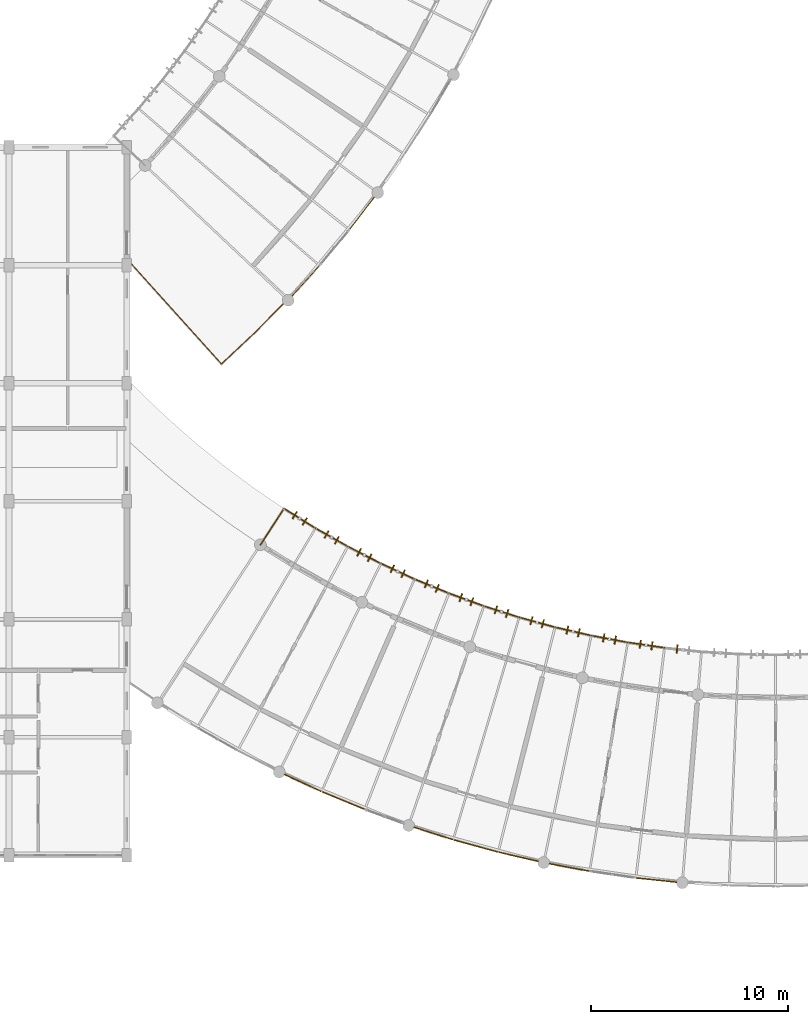
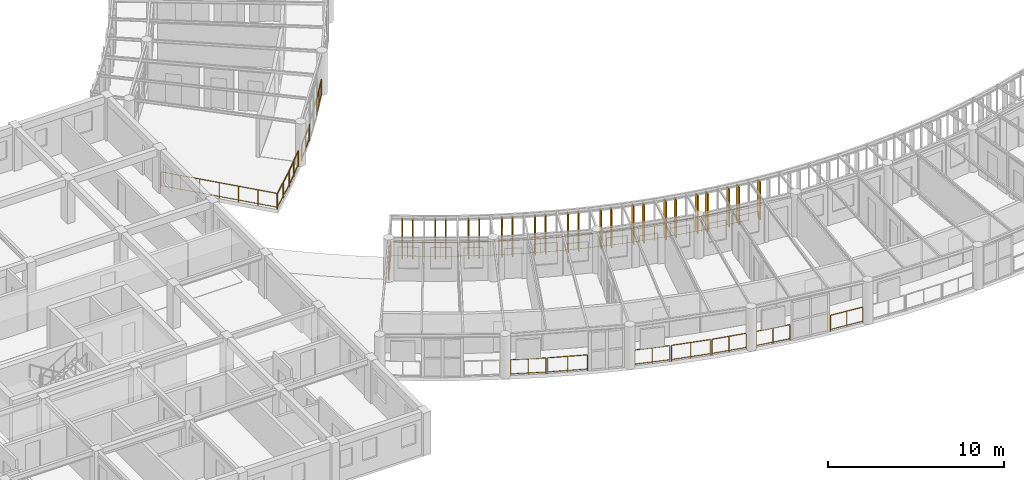
# One storey, part 90 of 101: 24 railings, 23 shading devices.
"""IFC4 building model written with IfcOpenShell, lengths in metres."""

from ifc_helpers import new_model, si_unit, direction, frame, origin, origin_2d, place, context, subcontext, project, spatial, rectangle, circle, extrude, material, layer, layer_set, type_object, element, save


model = new_model("IFC4")

# Units and contexts
model_context = context("Model", 3, precision=1e-05, world=origin(), true_north=direction((0.0, 1.0)))
body_context = subcontext(model_context, "Body", "Model", "MODEL_VIEW")
ifc_project = project(units=[si_unit("LENGTHUNIT", "METRE"), si_unit("AREAUNIT", "SQUARE_METRE"), si_unit("VOLUMEUNIT", "CUBIC_METRE"), si_unit("PLANEANGLEUNIT", "RADIAN"), si_unit("MASSUNIT", "GRAM", prefix="KILO"), si_unit("POWERUNIT", "WATT"), si_unit("THERMODYNAMICTEMPERATUREUNIT", "KELVIN")], contexts=[model_context])

# Site, building, storey
site_placement = place(None, origin())
site = spatial("IfcSite", under=ifc_project, at=site_placement, CompositionType="ELEMENT")
building_placement = place(site_placement, origin())
building = spatial("IfcBuilding", under=site, at=building_placement, Name="Ruvembo Vaulted Housing Court", CompositionType="ELEMENT")
storey_placement = place(building_placement, frame((0.0, 0.0, 17.300048828125)))
storey = spatial("IfcBuildingStorey", under=building, at=storey_placement, Name="L05", CompositionType="ELEMENT", Elevation=17.300048828125)

# Railings
ifc_material_1 = material(Name="Galvanised Painted Steel and Laminated Glass", Category="steel")
ifc_layer_1 = layer(ifc_material_1, 0.070068359375, Name="Galvanised Painted Steel and Laminated Glass")
ifc_layer_set_1 = layer_set([ifc_layer_1], Name="Galvanised Painted Steel and Laminated Glass")
railing_type_1 = type_object("IfcRailingType", Name="RL-BALUST-1120", PredefinedType="BALUSTRADE", material=ifc_layer_set_1)
railing_1_placement = place(storey_placement, frame((44.408935546875, 34.44189453125, 0.0)))
element("IfcRailing", 1, at=railing_1_placement, inside=storey, type_object=railing_type_1, Name="L05 Perimeter Guard RL-EXT-L05-0181", PredefinedType="BALUSTRADE", context=body_context, shape_type="SweptSolid", body=[
    extrude(circle(Radius=0.02392578125, at=origin_2d()), frame((0.0, 0.0, 1.09619140625), z_axis=(0.670925942214, 0.741524362422, 0.0), x_axis=(-0.741524362422, 0.670925942214, 0.0)), (0.0, 0.0, 1.0), 2.0263671875),
    extrude(circle(Radius=0.01806640625, at=origin_2d()), frame((0.0, 0.0, 0.1201171875), z_axis=(0.670925942214, 0.741524362422, 0.0), x_axis=(-0.741524362422, 0.670925942214, 0.0)), (0.0, 0.0, 1.0), 2.0263671875),
    extrude(circle(Radius=0.02099609375, at=origin_2d()), origin(), (0.0, 0.0, 1.0), 1.072021484375),
    extrude(circle(Radius=0.02099609375, at=origin_2d()), frame((0.6796875, 0.75146484375, 0.0)), (0.0, 0.0, 1.0), 1.072021484375),
    extrude(circle(Radius=0.02099609375, at=origin_2d()), frame((1.359619140625, 1.502685546875, 0.0)), (0.0, 0.0, 1.0), 1.072021484375),
])
railing_2_placement = place(storey_placement, frame((47.35302734375, 37.847900390625, 0.0)))
element("IfcRailing", 2, at=railing_2_placement, inside=storey, type_object=railing_type_1, Name="L05 Perimeter Guard RL-EXT-L05-0182", PredefinedType="BALUSTRADE", context=body_context, shape_type="SweptSolid", body=[
    extrude(circle(Radius=0.02392578125, at=origin_2d()), frame((0.0, 0.0, 1.09619140625), z_axis=(0.607892701824, 0.794019183061, 0.0), x_axis=(-0.794019183061, 0.607892701824, 0.0)), (0.0, 0.0, 1.0), 2.026611328125),
    extrude(circle(Radius=0.01806640625, at=origin_2d()), frame((0.0, 0.0, 0.1201171875), z_axis=(0.607892701824, 0.794019183061, 0.0), x_axis=(-0.794019183061, 0.607892701824, 0.0)), (0.0, 0.0, 1.0), 2.026611328125),
    extrude(circle(Radius=0.02099609375, at=origin_2d()), origin(), (0.0, 0.0, 1.0), 1.072021484375),
    extrude(circle(Radius=0.02099609375, at=origin_2d()), frame((0.615966796875, 0.8046875, 0.0)), (0.0, 0.0, 1.0), 1.072021484375),
    extrude(circle(Radius=0.02099609375, at=origin_2d()), frame((1.23193359375, 1.609130859375, 0.0)), (0.0, 0.0, 1.0), 1.072021484375),
])
railing_3_placement = place(storey_placement, frame((44.022216796875, 10.103515625, 0.0)))
element("IfcRailing", 3, at=railing_3_placement, inside=storey, type_object=railing_type_1, Name="L05 Perimeter Guard RL-EXT-L05-0476", PredefinedType="BALUSTRADE", context=body_context, shape_type="SweptSolid", body=[
    extrude(circle(Radius=0.02392578125, at=origin_2d()), frame((0.0, 0.0, 1.09619140625), z_axis=(0.907652291294, -0.419722906343, 0.0), x_axis=(0.419722906343, 0.907652291294, 0.0)), (0.0, 0.0, 1.0), 2.02587890625),
    extrude(circle(Radius=0.01806640625, at=origin_2d()), frame((0.0, 0.0, 0.1201171875), z_axis=(0.907652291294, -0.419722906343, 0.0), x_axis=(0.419722906343, 0.907652291294, 0.0)), (0.0, 0.0, 1.0), 2.02587890625),
    extrude(circle(Radius=0.02099609375, at=origin_2d()), origin(), (0.0, 0.0, 1.0), 1.072021484375),
    extrude(circle(Radius=0.02099609375, at=origin_2d()), frame((0.91943359375, -0.42529296875, 0.0)), (0.0, 0.0, 1.0), 1.072021484375),
    extrude(circle(Radius=0.02099609375, at=origin_2d()), frame((1.8388671875, -0.850341796875, 0.0)), (0.0, 0.0, 1.0), 1.072021484375),
])
railing_4_placement = place(storey_placement, frame((45.95263671875, 9.213134765625, 0.0)))
element("IfcRailing", 4, at=railing_4_placement, inside=storey, type_object=railing_type_1, Name="L05 Perimeter Guard RL-EXT-L05-0477", PredefinedType="BALUSTRADE", context=body_context, shape_type="SweptSolid", body=[
    extrude(circle(Radius=0.02392578125, at=origin_2d()), frame((0.0, 0.0, 1.09619140625), z_axis=(0.924177481842, -0.381963325538, 0.0), x_axis=(0.381963325538, 0.924177481842, 0.0)), (0.0, 0.0, 1.0), 2.276123046875),
    extrude(circle(Radius=0.01806640625, at=origin_2d()), frame((0.0, 0.0, 0.1201171875), z_axis=(0.924177481842, -0.381963325538, 0.0), x_axis=(0.381963325538, 0.924177481842, 0.0)), (0.0, 0.0, 1.0), 2.276123046875),
    extrude(circle(Radius=0.02099609375, at=origin_2d()), origin(), (0.0, 0.0, 1.0), 1.072021484375),
    extrude(circle(Radius=0.02099609375, at=origin_2d()), frame((1.0517578125, -0.4345703125, 0.0)), (0.0, 0.0, 1.0), 1.072021484375),
    extrude(circle(Radius=0.02099609375, at=origin_2d()), frame((2.103515625, -0.869384765625, 0.0)), (0.0, 0.0, 1.0), 1.072021484375),
])
railing_5_placement = place(storey_placement, frame((50.619384765625, 7.4169921875, 0.0)))
element("IfcRailing", 5, at=railing_5_placement, inside=storey, type_object=railing_type_1, Name="L05 Perimeter Guard RL-EXT-L05-0478", PredefinedType="BALUSTRADE", context=body_context, shape_type="SweptSolid", body=[
    extrude(circle(Radius=0.02392578125, at=origin_2d()), frame((0.0, 0.0, 1.09619140625), z_axis=(0.952549987203, -0.304382197049, 0.0), x_axis=(0.304382197049, 0.952549987203, 0.0)), (0.0, 0.0, 1.0), 2.026123046875),
    extrude(circle(Radius=0.01806640625, at=origin_2d()), frame((0.0, 0.0, 0.1201171875), z_axis=(0.952549987203, -0.304382197049, 0.0), x_axis=(0.304382197049, 0.952549987203, 0.0)), (0.0, 0.0, 1.0), 2.026123046875),
    extrude(circle(Radius=0.02099609375, at=origin_2d()), origin(), (0.0, 0.0, 1.0), 1.072021484375),
    extrude(circle(Radius=0.02099609375, at=origin_2d()), frame((0.96484375, -0.308349609375, 0.0)), (0.0, 0.0, 1.0), 1.072021484375),
    extrude(circle(Radius=0.02099609375, at=origin_2d()), frame((1.929931640625, -0.61669921875, 0.0)), (0.0, 0.0, 1.0), 1.072021484375),
])
railing_6_placement = place(storey_placement, frame((52.64501953125, 6.771728515625, 0.0)))
element("IfcRailing", 6, at=railing_6_placement, inside=storey, type_object=railing_type_1, Name="L05 Perimeter Guard RL-EXT-L05-0479", PredefinedType="BALUSTRADE", context=body_context, shape_type="SweptSolid", body=[
    extrude(circle(Radius=0.02392578125, at=origin_2d()), frame((0.0, 0.0, 1.09619140625), z_axis=(0.964267067666, -0.264932108691, 0.0), x_axis=(0.264932108691, 0.964267067666, 0.0)), (0.0, 0.0, 1.0), 2.276123046875),
    extrude(circle(Radius=0.01806640625, at=origin_2d()), frame((0.0, 0.0, 0.1201171875), z_axis=(0.964267067666, -0.264932108691, 0.0), x_axis=(0.264932108691, 0.964267067666, 0.0)), (0.0, 0.0, 1.0), 2.276123046875),
    extrude(circle(Radius=0.02099609375, at=origin_2d()), origin(), (0.0, 0.0, 1.0), 1.072021484375),
    extrude(circle(Radius=0.02099609375, at=origin_2d()), frame((1.097412109375, -0.301513671875, 0.0)), (0.0, 0.0, 1.0), 1.072021484375),
    extrude(circle(Radius=0.02099609375, at=origin_2d()), frame((2.19482421875, -0.60302734375, 0.0)), (0.0, 0.0, 1.0), 1.072021484375),
])
railing_7_placement = place(storey_placement, frame((54.936767578125, 6.144287109375, 0.0)))
element("IfcRailing", 7, at=railing_7_placement, inside=storey, type_object=railing_type_1, Name="L05 Perimeter Guard RL-EXT-L05-0480", PredefinedType="BALUSTRADE", context=body_context, shape_type="SweptSolid", body=[
    extrude(circle(Radius=0.02392578125, at=origin_2d()), frame((0.0, 0.0, 1.09619140625), z_axis=(0.974364787244, -0.224973912662, 0.0), x_axis=(0.224973912662, 0.974364787244, 0.0)), (0.0, 0.0, 1.0), 2.026123046875),
    extrude(circle(Radius=0.01806640625, at=origin_2d()), frame((0.0, 0.0, 0.1201171875), z_axis=(0.974364787244, -0.224973912662, 0.0), x_axis=(0.224973912662, 0.974364787244, 0.0)), (0.0, 0.0, 1.0), 2.026123046875),
    extrude(circle(Radius=0.02099609375, at=origin_2d()), origin(), (0.0, 0.0, 1.0), 1.072021484375),
    extrude(circle(Radius=0.02099609375, at=origin_2d()), frame((0.987060546875, -0.22802734375, 0.0)), (0.0, 0.0, 1.0), 1.072021484375),
    extrude(circle(Radius=0.02099609375, at=origin_2d()), frame((1.97412109375, -0.455810546875, 0.0)), (0.0, 0.0, 1.0), 1.072021484375),
])
railing_8_placement = place(storey_placement, frame((57.497802734375, 5.565673828125, 0.0)))
element("IfcRailing", 8, at=railing_8_placement, inside=storey, type_object=railing_type_1, Name="L05 Perimeter Guard RL-EXT-L05-0481", PredefinedType="BALUSTRADE", context=body_context, shape_type="SweptSolid", body=[
    extrude(circle(Radius=0.02392578125, at=origin_2d()), frame((0.0, 0.0, 1.09619140625), z_axis=(0.98281621731, -0.184586789864, 0.0), x_axis=(0.184586789864, 0.98281621731, 0.0)), (0.0, 0.0, 1.0), 2.0263671875),
    extrude(circle(Radius=0.01806640625, at=origin_2d()), frame((0.0, 0.0, 0.1201171875), z_axis=(0.98281621731, -0.184586789864, 0.0), x_axis=(0.184586789864, 0.98281621731, 0.0)), (0.0, 0.0, 1.0), 2.0263671875),
    extrude(circle(Radius=0.02099609375, at=origin_2d()), origin(), (0.0, 0.0, 1.0), 1.072021484375),
    extrude(circle(Radius=0.02099609375, at=origin_2d()), frame((0.99560546875, -0.18701171875, 0.0)), (0.0, 0.0, 1.0), 1.072021484375),
    extrude(circle(Radius=0.02099609375, at=origin_2d()), frame((1.991455078125, -0.3740234375, 0.0)), (0.0, 0.0, 1.0), 1.072021484375),
])
railing_9_placement = place(storey_placement, frame((61.939208984375, 4.83544921875, 0.0)))
element("IfcRailing", 9, at=railing_9_placement, inside=storey, type_object=railing_type_1, Name="L05 Perimeter Guard RL-EXT-L05-0482", PredefinedType="BALUSTRADE", context=body_context, shape_type="SweptSolid", body=[
    extrude(circle(Radius=0.02392578125, at=origin_2d()), frame((0.0, 0.0, 1.09619140625), z_axis=(0.994679027979, -0.103022479579, 0.0), x_axis=(0.103022479579, 0.994679027979, 0.0)), (0.0, 0.0, 1.0), 2.026123046875),
    extrude(circle(Radius=0.01806640625, at=origin_2d()), frame((0.0, 0.0, 0.1201171875), z_axis=(0.994679027979, -0.103022479579, 0.0), x_axis=(0.103022479579, 0.994679027979, 0.0)), (0.0, 0.0, 1.0), 2.026123046875),
    extrude(circle(Radius=0.02099609375, at=origin_2d()), origin(), (0.0, 0.0, 1.0), 1.072021484375),
    extrude(circle(Radius=0.02099609375, at=origin_2d()), frame((1.0078125, -0.1044921875, 0.0)), (0.0, 0.0, 1.0), 1.072021484375),
    extrude(circle(Radius=0.02099609375, at=origin_2d()), frame((2.015380859375, -0.208740234375, 0.0)), (0.0, 0.0, 1.0), 1.072021484375),
])
ifc_material_2 = material(Name="Galvanised Painted Steel S275", Category="steel")
ifc_layer_2 = layer(ifc_material_2, 0.06005859375, Name="Galvanised Painted Steel S275")
ifc_layer_set_2 = layer_set([ifc_layer_2], Name="Galvanised Painted Steel S275")
railing_type_2 = type_object("IfcRailingType", Name="RL-GUARD-1100", PredefinedType="GUARDRAIL", material=ifc_layer_set_2)
railing_10_placement = place(storey_placement, frame((42.79345703125, 21.785400390625, 0.0)))
element("IfcRailing", 10, at=railing_10_placement, inside=storey, type_object=railing_type_2, Name="L05 Perimeter Guard RL-EXT-L05-0444", PredefinedType="GUARDRAIL", context=body_context, shape_type="SweptSolid", body=[
    extrude(circle(Radius=0.02392578125, at=origin_2d()), frame((0.0, 0.0, 1.076171875), z_axis=(0.546013859183, 0.837776142881, 0.0), x_axis=(-0.837776142881, 0.546013859183, 0.0)), (0.0, 0.0, 1.0), 2.199951171875),
    extrude(circle(Radius=0.01806640625, at=origin_2d()), frame((0.0, 0.0, 0.1201171875), z_axis=(0.546013859183, 0.837776142881, 0.0), x_axis=(-0.837776142881, 0.546013859183, 0.0)), (0.0, 0.0, 1.0), 2.199951171875),
    extrude(circle(Radius=0.02099609375, at=origin_2d()), origin(), (0.0, 0.0, 1.0), 1.052001953125),
    extrude(circle(Radius=0.02099609375, at=origin_2d()), frame((0.6005859375, 0.92138671875, 0.0)), (0.0, 0.0, 1.0), 1.052001953125),
    extrude(circle(Radius=0.02099609375, at=origin_2d()), frame((1.201171875, 1.843017578125, 0.0)), (0.0, 0.0, 1.0), 1.052001953125),
])
railing_11_placement = place(storey_placement, frame((43.99462890625, 23.62841796875, 0.0)))
element("IfcRailing", 11, at=railing_11_placement, inside=storey, type_object=railing_type_2, Name="L05 Perimeter Guard RL-EXT-L05-0445", PredefinedType="GUARDRAIL", context=body_context, shape_type="SweptSolid", body=[
    extrude(circle(Radius=0.02392578125, at=origin_2d()), frame((0.0, 0.0, 1.076171875), z_axis=(0.848904567119, -0.52854615307, 0.0), x_axis=(0.52854615307, 0.848904567119, 0.0)), (0.0, 0.0, 1.0), 1.88916015625),
    extrude(circle(Radius=0.01806640625, at=origin_2d()), frame((0.0, 0.0, 0.1201171875), z_axis=(0.848904567119, -0.52854615307, 0.0), x_axis=(0.52854615307, 0.848904567119, 0.0)), (0.0, 0.0, 1.0), 1.88916015625),
    extrude(circle(Radius=0.02099609375, at=origin_2d()), origin(), (0.0, 0.0, 1.0), 1.052001953125),
    extrude(circle(Radius=0.02099609375, at=origin_2d()), frame((0.8017578125, -0.499267578125, 0.0)), (0.0, 0.0, 1.0), 1.052001953125),
    extrude(circle(Radius=0.02099609375, at=origin_2d()), frame((1.603759765625, -0.99853515625, 0.0)), (0.0, 0.0, 1.0), 1.052001953125),
])
railing_12_placement = place(storey_placement, frame((45.598388671875, 22.6298828125, 0.0)))
element("IfcRailing", 12, at=railing_12_placement, inside=storey, type_object=railing_type_2, Name="L05 Perimeter Guard RL-EXT-L05-0446", PredefinedType="GUARDRAIL", context=body_context, shape_type="SweptSolid", body=[
    extrude(circle(Radius=0.02392578125, at=origin_2d()), frame((0.0, 0.0, 1.076171875), z_axis=(0.869955662473, -0.493129947712, 0.0), x_axis=(0.493129947712, 0.869955662473, 0.0)), (0.0, 0.0, 1.0), 1.88916015625),
    extrude(circle(Radius=0.01806640625, at=origin_2d()), frame((0.0, 0.0, 0.1201171875), z_axis=(0.869955662473, -0.493129947712, 0.0), x_axis=(0.493129947712, 0.869955662473, 0.0)), (0.0, 0.0, 1.0), 1.88916015625),
    extrude(circle(Radius=0.02099609375, at=origin_2d()), origin(), (0.0, 0.0, 1.0), 1.052001953125),
    extrude(circle(Radius=0.02099609375, at=origin_2d()), frame((0.82177734375, -0.4658203125, 0.0)), (0.0, 0.0, 1.0), 1.052001953125),
    extrude(circle(Radius=0.02099609375, at=origin_2d()), frame((1.6435546875, -0.931640625, 0.0)), (0.0, 0.0, 1.0), 1.052001953125),
])
railing_13_placement = place(storey_placement, frame((47.241943359375, 21.6982421875, 0.0)))
element("IfcRailing", 13, at=railing_13_placement, inside=storey, type_object=railing_type_2, Name="L05 Perimeter Guard RL-EXT-L05-0447", PredefinedType="GUARDRAIL", context=body_context, shape_type="SweptSolid", body=[
    extrude(circle(Radius=0.02392578125, at=origin_2d()), frame((0.0, 0.0, 1.076171875), z_axis=(0.889568437347, -0.45680192127, 0.0), x_axis=(0.45680192127, 0.889568437347, 0.0)), (0.0, 0.0, 1.0), 1.889404296875),
    extrude(circle(Radius=0.01806640625, at=origin_2d()), frame((0.0, 0.0, 0.1201171875), z_axis=(0.889568437347, -0.45680192127, 0.0), x_axis=(0.45680192127, 0.889568437347, 0.0)), (0.0, 0.0, 1.0), 1.889404296875),
    extrude(circle(Radius=0.02099609375, at=origin_2d()), origin(), (0.0, 0.0, 1.0), 1.052001953125),
    extrude(circle(Radius=0.02099609375, at=origin_2d()), frame((0.84033203125, -0.431640625, 0.0)), (0.0, 0.0, 1.0), 1.052001953125),
    extrude(circle(Radius=0.02099609375, at=origin_2d()), frame((1.6806640625, -0.863037109375, 0.0)), (0.0, 0.0, 1.0), 1.052001953125),
])
railing_14_placement = place(storey_placement, frame((48.922607421875, 20.835205078125, 0.0)))
element("IfcRailing", 14, at=railing_14_placement, inside=storey, type_object=railing_type_2, Name="L05 Perimeter Guard RL-EXT-L05-0448", PredefinedType="GUARDRAIL", context=body_context, shape_type="SweptSolid", body=[
    extrude(circle(Radius=0.02392578125, at=origin_2d()), frame((0.0, 0.0, 1.076171875), z_axis=(0.907656578832, -0.419713634403, 0.0), x_axis=(0.419713634403, 0.907656578832, 0.0)), (0.0, 0.0, 1.0), 1.889404296875),
    extrude(circle(Radius=0.01806640625, at=origin_2d()), frame((0.0, 0.0, 0.1201171875), z_axis=(0.907656578832, -0.419713634403, 0.0), x_axis=(0.419713634403, 0.907656578832, 0.0)), (0.0, 0.0, 1.0), 1.889404296875),
    extrude(circle(Radius=0.02099609375, at=origin_2d()), origin(), (0.0, 0.0, 1.0), 1.052001953125),
    extrude(circle(Radius=0.02099609375, at=origin_2d()), frame((0.857421875, -0.396484375, 0.0)), (0.0, 0.0, 1.0), 1.052001953125),
    extrude(circle(Radius=0.02099609375, at=origin_2d()), frame((1.71484375, -0.79296875, 0.0)), (0.0, 0.0, 1.0), 1.052001953125),
])
railing_15_placement = place(storey_placement, frame((50.637451171875, 20.042236328125, 0.0)))
element("IfcRailing", 15, at=railing_15_placement, inside=storey, type_object=railing_type_2, Name="L05 Perimeter Guard RL-EXT-L05-0449", PredefinedType="GUARDRAIL", context=body_context, shape_type="SweptSolid", body=[
    extrude(circle(Radius=0.02392578125, at=origin_2d()), frame((0.0, 0.0, 1.076171875), z_axis=(0.924155321549, -0.38201693896, 0.0), x_axis=(0.38201693896, 0.924155321549, 0.0)), (0.0, 0.0, 1.0), 1.88916015625),
    extrude(circle(Radius=0.01806640625, at=origin_2d()), frame((0.0, 0.0, 0.1201171875), z_axis=(0.924155321549, -0.38201693896, 0.0), x_axis=(0.38201693896, 0.924155321549, 0.0)), (0.0, 0.0, 1.0), 1.88916015625),
    extrude(circle(Radius=0.02099609375, at=origin_2d()), origin(), (0.0, 0.0, 1.0), 1.052001953125),
    extrude(circle(Radius=0.02099609375, at=origin_2d()), frame((0.873046875, -0.36083984375, 0.0)), (0.0, 0.0, 1.0), 1.052001953125),
    extrude(circle(Radius=0.02099609375, at=origin_2d()), frame((1.745849609375, -0.7216796875, 0.0)), (0.0, 0.0, 1.0), 1.052001953125),
])
railing_16_placement = place(storey_placement, frame((52.38330078125, 19.320556640625, 0.0)))
element("IfcRailing", 16, at=railing_16_placement, inside=storey, type_object=railing_type_2, Name="L05 Perimeter Guard RL-EXT-L05-0450", PredefinedType="GUARDRAIL", context=body_context, shape_type="SweptSolid", body=[
    extrude(circle(Radius=0.02392578125, at=origin_2d()), frame((0.0, 0.0, 1.076171875), z_axis=(0.939165556371, -0.343464783824, 0.0), x_axis=(0.343464783824, 0.939165556371, 0.0)), (0.0, 0.0, 1.0), 1.889404296875),
    extrude(circle(Radius=0.01806640625, at=origin_2d()), frame((0.0, 0.0, 0.1201171875), z_axis=(0.939165556371, -0.343464783824, 0.0), x_axis=(0.343464783824, 0.939165556371, 0.0)), (0.0, 0.0, 1.0), 1.889404296875),
    extrude(circle(Radius=0.02099609375, at=origin_2d()), origin(), (0.0, 0.0, 1.0), 1.052001953125),
    extrude(circle(Radius=0.02099609375, at=origin_2d()), frame((0.88720703125, -0.324462890625, 0.0)), (0.0, 0.0, 1.0), 1.052001953125),
    extrude(circle(Radius=0.02099609375, at=origin_2d()), frame((1.7744140625, -0.64892578125, 0.0)), (0.0, 0.0, 1.0), 1.052001953125),
])
railing_17_placement = place(storey_placement, frame((54.15771484375, 18.671630859375, 0.0)))
element("IfcRailing", 17, at=railing_17_placement, inside=storey, type_object=railing_type_2, Name="L05 Perimeter Guard RL-EXT-L05-0451", PredefinedType="GUARDRAIL", context=body_context, shape_type="SweptSolid", body=[
    extrude(circle(Radius=0.02392578125, at=origin_2d()), frame((0.0, 0.0, 1.076171875), z_axis=(0.952526124364, -0.304456864605, 0.0), x_axis=(0.304456864605, 0.952526124364, 0.0)), (0.0, 0.0, 1.0), 1.88916015625),
    extrude(circle(Radius=0.01806640625, at=origin_2d()), frame((0.0, 0.0, 0.1201171875), z_axis=(0.952526124364, -0.304456864605, 0.0), x_axis=(0.304456864605, 0.952526124364, 0.0)), (0.0, 0.0, 1.0), 1.88916015625),
    extrude(circle(Radius=0.02099609375, at=origin_2d()), origin(), (0.0, 0.0, 1.0), 1.052001953125),
    extrude(circle(Radius=0.02099609375, at=origin_2d()), frame((0.89990234375, -0.28759765625, 0.0)), (0.0, 0.0, 1.0), 1.052001953125),
    extrude(circle(Radius=0.02099609375, at=origin_2d()), frame((1.799560546875, -0.5751953125, 0.0)), (0.0, 0.0, 1.0), 1.052001953125),
])
railing_18_placement = place(storey_placement, frame((55.957275390625, 18.096435546875, 0.0)))
element("IfcRailing", 18, at=railing_18_placement, inside=storey, type_object=railing_type_2, Name="L05 Perimeter Guard RL-EXT-L05-0452", PredefinedType="GUARDRAIL", context=body_context, shape_type="SweptSolid", body=[
    extrude(circle(Radius=0.02392578125, at=origin_2d()), frame((0.0, 0.0, 1.076171875), z_axis=(0.964240073493, -0.26503033915, 0.0), x_axis=(0.26503033915, 0.964240073493, 0.0)), (0.0, 0.0, 1.0), 1.889404296875),
    extrude(circle(Radius=0.01806640625, at=origin_2d()), frame((0.0, 0.0, 0.1201171875), z_axis=(0.964240073493, -0.26503033915, 0.0), x_axis=(0.26503033915, 0.964240073493, 0.0)), (0.0, 0.0, 1.0), 1.889404296875),
    extrude(circle(Radius=0.02099609375, at=origin_2d()), origin(), (0.0, 0.0, 1.0), 1.052001953125),
    extrude(circle(Radius=0.02099609375, at=origin_2d()), frame((0.910888671875, -0.25048828125, 0.0)), (0.0, 0.0, 1.0), 1.052001953125),
    extrude(circle(Radius=0.02099609375, at=origin_2d()), frame((1.82177734375, -0.500732421875, 0.0)), (0.0, 0.0, 1.0), 1.052001953125),
])
railing_19_placement = place(storey_placement, frame((57.779052734375, 17.595703125, 0.0)))
element("IfcRailing", 19, at=railing_19_placement, inside=storey, type_object=railing_type_2, Name="L05 Perimeter Guard RL-EXT-L05-0453", PredefinedType="GUARDRAIL", context=body_context, shape_type="SweptSolid", body=[
    extrude(circle(Radius=0.02392578125, at=origin_2d()), frame((0.0, 0.0, 1.076171875), z_axis=(0.974391195695, -0.224859506699, 0.0), x_axis=(0.224859506699, 0.974391195695, 0.0)), (0.0, 0.0, 1.0), 1.88916015625),
    extrude(circle(Radius=0.01806640625, at=origin_2d()), frame((0.0, 0.0, 0.1201171875), z_axis=(0.974391195695, -0.224859506699, 0.0), x_axis=(0.224859506699, 0.974391195695, 0.0)), (0.0, 0.0, 1.0), 1.88916015625),
    extrude(circle(Radius=0.02099609375, at=origin_2d()), origin(), (0.0, 0.0, 1.0), 1.052001953125),
    extrude(circle(Radius=0.02099609375, at=origin_2d()), frame((0.92041015625, -0.21240234375, 0.0)), (0.0, 0.0, 1.0), 1.052001953125),
    extrude(circle(Radius=0.02099609375, at=origin_2d()), frame((1.8408203125, -0.4248046875, 0.0)), (0.0, 0.0, 1.0), 1.052001953125),
])
railing_20_placement = place(storey_placement, frame((59.619873046875, 17.1708984375, 0.0)))
element("IfcRailing", 20, at=railing_20_placement, inside=storey, type_object=railing_type_2, Name="L05 Perimeter Guard RL-EXT-L05-0454", PredefinedType="GUARDRAIL", context=body_context, shape_type="SweptSolid", body=[
    extrude(circle(Radius=0.02392578125, at=origin_2d()), frame((0.0, 0.0, 1.076171875), z_axis=(0.982804832401, -0.184647397515, 0.0), x_axis=(0.184647397515, 0.982804832401, 0.0)), (0.0, 0.0, 1.0), 1.889404296875),
    extrude(circle(Radius=0.01806640625, at=origin_2d()), frame((0.0, 0.0, 0.1201171875), z_axis=(0.982804832401, -0.184647397515, 0.0), x_axis=(0.184647397515, 0.982804832401, 0.0)), (0.0, 0.0, 1.0), 1.889404296875),
    extrude(circle(Radius=0.02099609375, at=origin_2d()), origin(), (0.0, 0.0, 1.0), 1.052001953125),
    extrude(circle(Radius=0.02099609375, at=origin_2d()), frame((0.928466796875, -0.17431640625, 0.0)), (0.0, 0.0, 1.0), 1.052001953125),
    extrude(circle(Radius=0.02099609375, at=origin_2d()), frame((1.85693359375, -0.348876953125, 0.0)), (0.0, 0.0, 1.0), 1.052001953125),
])
railing_21_placement = place(storey_placement, frame((61.476806640625, 16.822021484375, 0.0)))
element("IfcRailing", 21, at=railing_21_placement, inside=storey, type_object=railing_type_2, Name="L05 Perimeter Guard RL-EXT-L05-0455", PredefinedType="GUARDRAIL", context=body_context, shape_type="SweptSolid", body=[
    extrude(circle(Radius=0.02392578125, at=origin_2d()), frame((0.0, 0.0, 1.076171875), z_axis=(0.989600158039, -0.143845497701, 0.0), x_axis=(0.143845497701, 0.989600158039, 0.0)), (0.0, 0.0, 1.0), 1.888916015625),
    extrude(circle(Radius=0.01806640625, at=origin_2d()), frame((0.0, 0.0, 0.1201171875), z_axis=(0.989600158039, -0.143845497701, 0.0), x_axis=(0.143845497701, 0.989600158039, 0.0)), (0.0, 0.0, 1.0), 1.888916015625),
    extrude(circle(Radius=0.02099609375, at=origin_2d()), origin(), (0.0, 0.0, 1.0), 1.052001953125),
    extrude(circle(Radius=0.02099609375, at=origin_2d()), frame((0.9345703125, -0.1357421875, 0.0)), (0.0, 0.0, 1.0), 1.052001953125),
    extrude(circle(Radius=0.02099609375, at=origin_2d()), frame((1.869384765625, -0.271728515625, 0.0)), (0.0, 0.0, 1.0), 1.052001953125),
])
railing_22_placement = place(storey_placement, frame((43.94140625, 34.03369140625, 0.0)))
element("IfcRailing", 22, at=railing_22_placement, inside=storey, type_object=railing_type_2, Name="L05 Perimeter Guard RL-EXT-L05-0904", PredefinedType="GUARDRAIL", context=body_context, shape_type="SweptSolid", body=[
    extrude(circle(Radius=0.02392578125, at=origin_2d()), frame((0.0, 0.0, 1.076171875), z_axis=(-0.700606566862, -0.713547782891, 0.0), x_axis=(0.713547782891, -0.700606566862, 0.0)), (0.0, 0.0, 1.0), 2.056396484375),
    extrude(circle(Radius=0.01806640625, at=origin_2d()), frame((0.0, 0.0, 0.1201171875), z_axis=(-0.700606566862, -0.713547782891, 0.0), x_axis=(0.713547782891, -0.700606566862, 0.0)), (0.0, 0.0, 1.0), 2.056396484375),
    extrude(circle(Radius=0.02099609375, at=origin_2d()), origin(), (0.0, 0.0, 1.0), 1.052001953125),
    extrude(circle(Radius=0.02099609375, at=origin_2d()), frame((-0.72021484375, -0.733642578125, 0.0)), (0.0, 0.0, 1.0), 1.052001953125),
    extrude(circle(Radius=0.02099609375, at=origin_2d()), frame((-1.440673828125, -1.46728515625, 0.0)), (0.0, 0.0, 1.0), 1.052001953125),
])
railing_23_placement = place(storey_placement, frame((42.500732421875, 32.56640625, 0.0)))
element("IfcRailing", 23, at=railing_23_placement, inside=storey, type_object=railing_type_2, Name="L05 Perimeter Guard RL-EXT-L05-0905", PredefinedType="GUARDRAIL", context=body_context, shape_type="SweptSolid", body=[
    extrude(circle(Radius=0.02392578125, at=origin_2d()), frame((0.0, 0.0, 1.076171875), z_axis=(-0.729326576297, -0.684165729269, 0.0), x_axis=(0.684165729269, -0.729326576297, 0.0)), (0.0, 0.0, 1.0), 2.313720703125),
    extrude(circle(Radius=0.01806640625, at=origin_2d()), frame((0.0, 0.0, 0.1201171875), z_axis=(-0.729326576297, -0.684165729269, 0.0), x_axis=(0.684165729269, -0.729326576297, 0.0)), (0.0, 0.0, 1.0), 2.313720703125),
    extrude(circle(Radius=0.02099609375, at=origin_2d()), origin(), (0.0, 0.0, 1.0), 1.052001953125),
    extrude(circle(Radius=0.02099609375, at=origin_2d()), frame((-0.84375, -0.79150390625, 0.0)), (0.0, 0.0, 1.0), 1.052001953125),
    extrude(circle(Radius=0.02099609375, at=origin_2d()), frame((-1.6875, -1.5830078125, 0.0)), (0.0, 0.0, 1.0), 1.052001953125),
])
railing_24_placement = place(storey_placement, frame((40.813232421875, 30.9833984375, 0.0)))
element("IfcRailing", 24, at=railing_24_placement, inside=storey, type_object=railing_type_2, Name="L05 Perimeter Guard RL-EXT-L05-0906", PredefinedType="GUARDRAIL", context=body_context, shape_type="SweptSolid", body=[
    extrude(circle(Radius=0.02392578125, at=origin_2d()), frame((0.0, 0.0, 1.076171875), z_axis=(-0.669145391366, 0.74313151273, 0.0), x_axis=(-0.74313151273, -0.669145391366, 0.0)), (0.0, 0.0, 1.0), 6.94287109375),
    extrude(circle(Radius=0.01806640625, at=origin_2d()), frame((0.0, 0.0, 0.1201171875), z_axis=(-0.669145391366, 0.74313151273, 0.0), x_axis=(-0.74313151273, -0.669145391366, 0.0)), (0.0, 0.0, 1.0), 6.94287109375),
    extrude(circle(Radius=0.02099609375, at=origin_2d()), origin(), (0.0, 0.0, 1.0), 1.052001953125),
    extrude(circle(Radius=0.02099609375, at=origin_2d()), frame((-0.7744140625, 0.85986328125, 0.0)), (0.0, 0.0, 1.0), 1.052001953125),
    extrude(circle(Radius=0.02099609375, at=origin_2d()), frame((-1.548583984375, 1.7197265625, 0.0)), (0.0, 0.0, 1.0), 1.052001953125),
    extrude(circle(Radius=0.02099609375, at=origin_2d()), frame((-2.32275390625, 2.57958984375, 0.0)), (0.0, 0.0, 1.0), 1.052001953125),
    extrude(circle(Radius=0.02099609375, at=origin_2d()), frame((-3.09716796875, 3.439697265625, 0.0)), (0.0, 0.0, 1.0), 1.052001953125),
    extrude(circle(Radius=0.02099609375, at=origin_2d()), frame((-3.87158203125, 4.299560546875, 0.0)), (0.0, 0.0, 1.0), 1.052001953125),
    extrude(circle(Radius=0.02099609375, at=origin_2d()), frame((-4.645751953125, 5.159423828125, 0.0)), (0.0, 0.0, 1.0), 1.052001953125),
])

# Shading devices
ifc_material_3 = material(Name="Kiln-Fired Terracotta Extrusion", Category="masonry")
shading_device_type = type_object("IfcShadingDeviceType", Name="SHD-FIN-420", PredefinedType="USERDEFINED", material=ifc_material_3)
for number, where, z_axis, x_axis, name in (
    (25, (44.541748046875, 23.287841796875, 0.050048828125), (0.0, 0.0, 1.0), (-0.528556868381, -0.848897895443, 0.0), "Terracotta Brise-Soleil Fin #415"),
    (26, (45.05126953125, 22.970703125, 0.050048828125), (0.0, 0.0, 1.0), (-0.528556868381, -0.848897895443, 0.0), "Terracotta Brise-Soleil Fin #416"),
    (27, (46.1591796875, 22.31201171875, 0.050048828125), (0.0, 0.0, 1.0), (-0.493106983922, -0.86996867898, 0.0), "Terracotta Brise-Soleil Fin #417"),
    (28, (46.68115234375, 22.01611328125, 0.050048828125), (0.0, 0.0, 1.0), (-0.493106983922, -0.86996867898, 0.0), "Terracotta Brise-Soleil Fin #418"),
    (29, (47.8154296875, 21.40380859375, 0.050048828125), (0.0, 0.0, 1.0), (-0.456849537333, -0.889543984432, 0.0), "Terracotta Brise-Soleil Fin #419"),
    (30, (48.34912109375, 21.129638671875, 0.050048828125), (0.0, 0.0, 1.0), (-0.456849537333, -0.889543984432, 0.0), "Terracotta Brise-Soleil Fin #420"),
    (31, (49.5078125, 20.564697265625, 0.050048828125), (0.0, 0.0, 1.0), (-0.419737248448, -0.90764565898, 0.0), "Terracotta Brise-Soleil Fin #421"),
    (32, (50.05224609375, 20.312744140625, 0.050048828125), (0.0, 0.0, 1.0), (-0.419737248448, -0.90764565898, 0.0), "Terracotta Brise-Soleil Fin #422"),
    (33, (51.233154296875, 19.7958984375, 0.050048828125), (0.0, 0.0, 1.0), (-0.381957701122, -0.924179806398, 0.0), "Terracotta Brise-Soleil Fin #423"),
    (34, (51.78759765625, 19.56689453125, 0.050048828125), (0.0, 0.0, 1.0), (-0.381957701122, -0.924179806398, 0.0), "Terracotta Brise-Soleil Fin #424"),
    (35, (52.98876953125, 19.09912109375, 0.050048828125), (0.0, 0.0, 1.0), (-0.343512177766, -0.939148222447, 0.0), "Terracotta Brise-Soleil Fin #425"),
    (36, (53.55224609375, 18.89306640625, 0.050048828125), (0.0, 0.0, 1.0), (-0.343512177766, -0.939148222447, 0.0), "Terracotta Brise-Soleil Fin #426"),
    (37, (54.771728515625, 18.475341796875, 0.050048828125), (0.0, 0.0, 1.0), (-0.304448708958, -0.952528731122, 0.0), "Terracotta Brise-Soleil Fin #427"),
    (38, (55.34326171875, 18.292724609375, 0.050048828125), (0.0, 0.0, 1.0), (-0.304448708958, -0.952528731122, 0.0), "Terracotta Brise-Soleil Fin #428"),
    (39, (56.578857421875, 17.925537109375, 0.050048828125), (0.0, 0.0, 1.0), (-0.264983965035, -0.96425281865, 0.0), "Terracotta Brise-Soleil Fin #429"),
    (40, (57.157470703125, 17.7666015625, 0.050048828125), (0.0, 0.0, 1.0), (-0.264983965035, -0.96425281865, 0.0), "Terracotta Brise-Soleil Fin #430"),
    (41, (58.406982421875, 17.45068359375, 0.050048828125), (0.0, 0.0, 1.0), (-0.224951054344, -0.974370064785, 0.0), "Terracotta Brise-Soleil Fin #431"),
    (42, (58.99169921875, 17.31591796875, 0.050048828125), (0.0, 0.0, 1.0), (-0.224951054344, -0.974370064785, 0.0), "Terracotta Brise-Soleil Fin #432"),
    (43, (60.25341796875, 17.0517578125, 0.050048828125), (0.0, 0.0, 1.0), (-0.184568910756, -0.982819575091, 0.0), "Terracotta Brise-Soleil Fin #433"),
    (44, (60.843017578125, 16.941162109375, 0.050048828125), (0.0, 0.0, 1.0), (-0.184568910756, -0.982819575091, 0.0), "Terracotta Brise-Soleil Fin #434"),
    (45, (62.114501953125, 16.7294921875, 0.050048828125), (0.0, 0.0, 1.0), (-0.143872610257, -0.989596216655, 0.0), "Terracotta Brise-Soleil Fin #435"),
    (46, (62.70849609375, 16.64306640625, 0.050048828125), (0.0, 0.0, 1.0), (-0.143872610257, -0.989596216655, 0.0), "Terracotta Brise-Soleil Fin #436"),
    (47, (63.987548828125, 16.48388671875, 0.050048828125), (0.0, 0.0, 1.0), (-0.102948783072, -0.994686658232, 0.0), "Terracotta Brise-Soleil Fin #437"),
):
    element("IfcShadingDevice", number, at=place(storey_placement, frame(where, z_axis=z_axis, x_axis=x_axis)), inside=storey, type_object=shading_device_type, Name=name, ObjectType="FIN", PredefinedType="USERDEFINED", context=body_context, shape_type="SweptSolid", body=[
        extrude(rectangle(XDim=0.419921875, YDim=0.06494140625, at=origin_2d()), origin(), (0.0, 0.0, 1.0), 2.60498046875),
    ])

save(model, "model.ifc")
